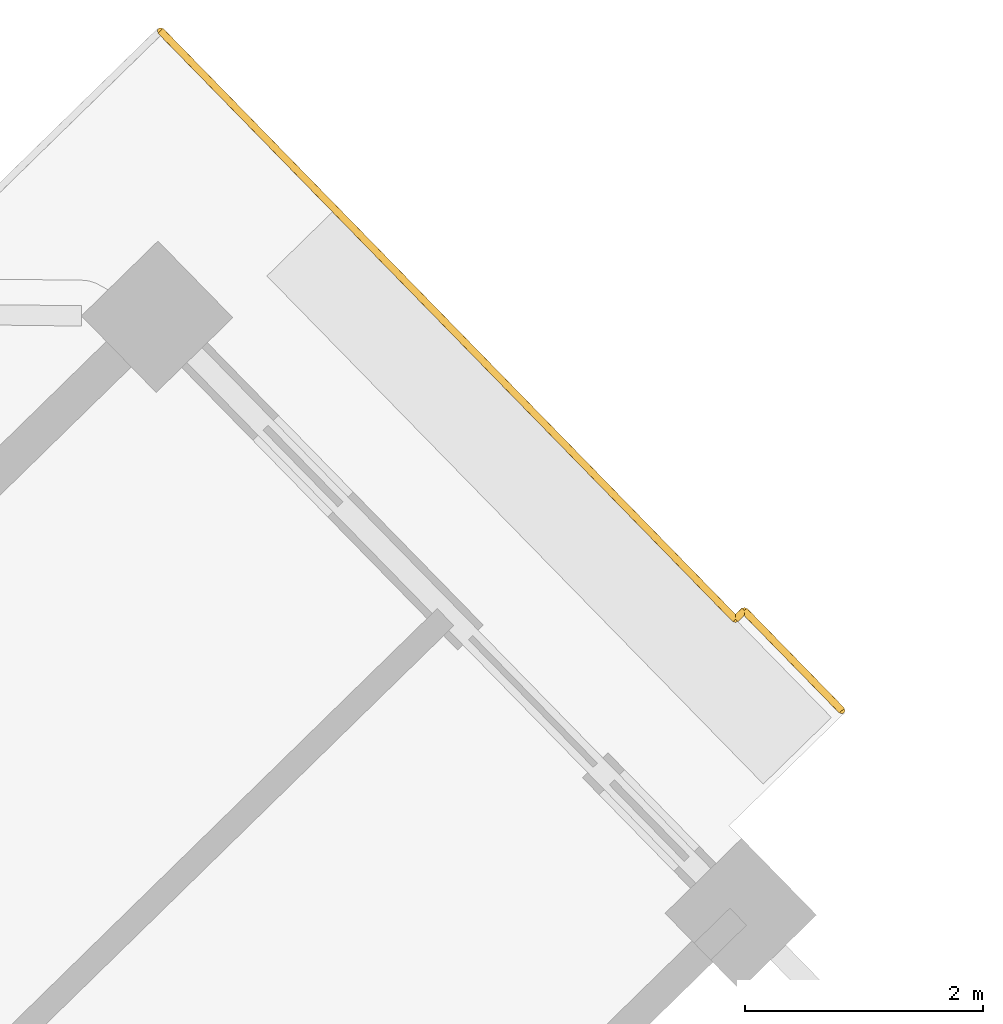
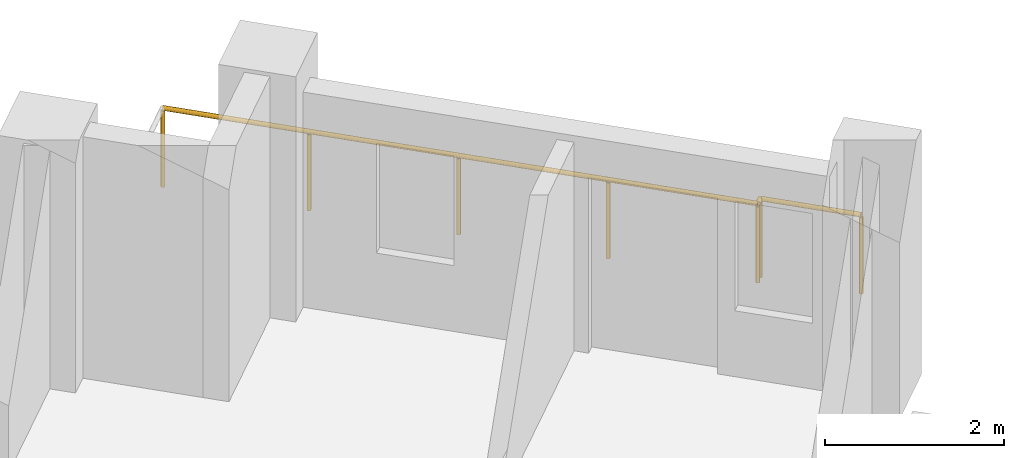
# One storey, part 19 of 20: 1 railing.
"""IFC4 building model written with IfcOpenShell, lengths in metres."""

from ifc_helpers import new_model, si_unit, direction, frame, origin, origin_2d, place, context, subcontext, project, spatial, circle, extrude, material, type_object, element, save


model = new_model("IFC4")

# Units and contexts
model_context = context("Model", 3, precision=1e-05, world=origin(), true_north=direction((0.0, 1.0)))
body_context = subcontext(model_context, "Body", "Model", "MODEL_VIEW")
ifc_project = project(units=[si_unit("LENGTHUNIT", "METRE"), si_unit("AREAUNIT", "SQUARE_METRE"), si_unit("VOLUMEUNIT", "CUBIC_METRE"), si_unit("PLANEANGLEUNIT", "RADIAN"), si_unit("MASSUNIT", "GRAM", prefix="KILO")], contexts=[model_context])

# Site, building, storey
site_placement = place(None, origin())
site = spatial("IfcSite", under=ifc_project, at=site_placement, CompositionType="ELEMENT")
building_placement = place(site_placement, origin())
building = spatial("IfcBuilding", under=site, at=building_placement, Name="Cantera Rosa Tower", CompositionType="ELEMENT")
storey_placement = place(building_placement, frame((0.0, 0.0, 209.0)))
storey = spatial("IfcBuildingStorey", under=building, at=storey_placement, Name="L44", CompositionType="ELEMENT", Elevation=209.0)

# Railing
ifc_material = material(Name="Stainless steel and laminated glass", Category="steel")
railing_type = type_object("IfcRailingType", Name="GUARD 1100", PredefinedType="BALUSTRADE", material=ifc_material)
railing_placement = place(storey_placement, frame((5.502685546875, 32.288330078125, 0.0)))
element("IfcRailing", 1, at=railing_placement, inside=storey, type_object=railing_type, Name="GUARD L44-6", PredefinedType="BALUSTRADE", context=body_context, shape_type="SweptSolid", body=[
    extrude(circle(Radius=0.030029296875, at=origin_2d()), frame((0.0, 0.0, 1.070068359375), z_axis=(0.69880105094, -0.715316077832, 0.0), x_axis=(0.715316077832, 0.69880105094, 0.0)), (0.0, 0.0, 1.0), 1.699951171875),
    extrude(circle(Radius=0.030029296875, at=origin_2d()), frame((1.18798828125, -1.216064453125, 1.070068359375), z_axis=(0.698820850974, -0.7152967344, 0.0), x_axis=(0.7152967344, 0.698820850974, 0.0)), (0.0, 0.0, 1.0), 5.216064453125),
    extrude(circle(Radius=0.030029296875, at=origin_2d()), frame((4.8330078125, -4.947021484375, 1.070068359375), z_axis=(0.715267124493, 0.698851157701, 0.0), x_axis=(-0.698851157701, 0.715267124493, 0.0)), (0.0, 0.0, 1.0), 0.10400390625),
    extrude(circle(Radius=0.030029296875, at=origin_2d()), frame((4.907470703125, -4.874267578125, 1.070068359375), z_axis=(0.698739523875, -0.715376179206, 0.0), x_axis=(0.715376179206, 0.698739523875, 0.0)), (0.0, 0.0, 1.0), 1.174072265625),
    extrude(circle(Radius=0.02490234375, at=origin_2d()), origin(), (0.0, 0.0, 1.0), 1.0400390625),
    extrude(circle(Radius=0.02490234375, at=origin_2d()), frame((1.18798828125, -1.216064453125, 0.0)), (0.0, 0.0, 1.0), 1.0400390625),
    extrude(circle(Radius=0.02490234375, at=origin_2d()), frame((2.403076171875, -2.459716796875, 0.0)), (0.0, 0.0, 1.0), 1.0400390625),
    extrude(circle(Radius=0.02490234375, at=origin_2d()), frame((3.617919921875, -3.703369140625, 0.0)), (0.0, 0.0, 1.0), 1.0400390625),
    extrude(circle(Radius=0.02490234375, at=origin_2d()), frame((4.8330078125, -4.947021484375, 0.0)), (0.0, 0.0, 1.0), 1.0400390625),
    extrude(circle(Radius=0.02490234375, at=origin_2d()), frame((4.907470703125, -4.874267578125, 0.0)), (0.0, 0.0, 1.0), 1.0400390625),
    extrude(circle(Radius=0.02490234375, at=origin_2d()), frame((5.727783203125, -5.714111328125, 0.0)), (0.0, 0.0, 1.0), 1.0400390625),
])

save(model, "model.ifc")
